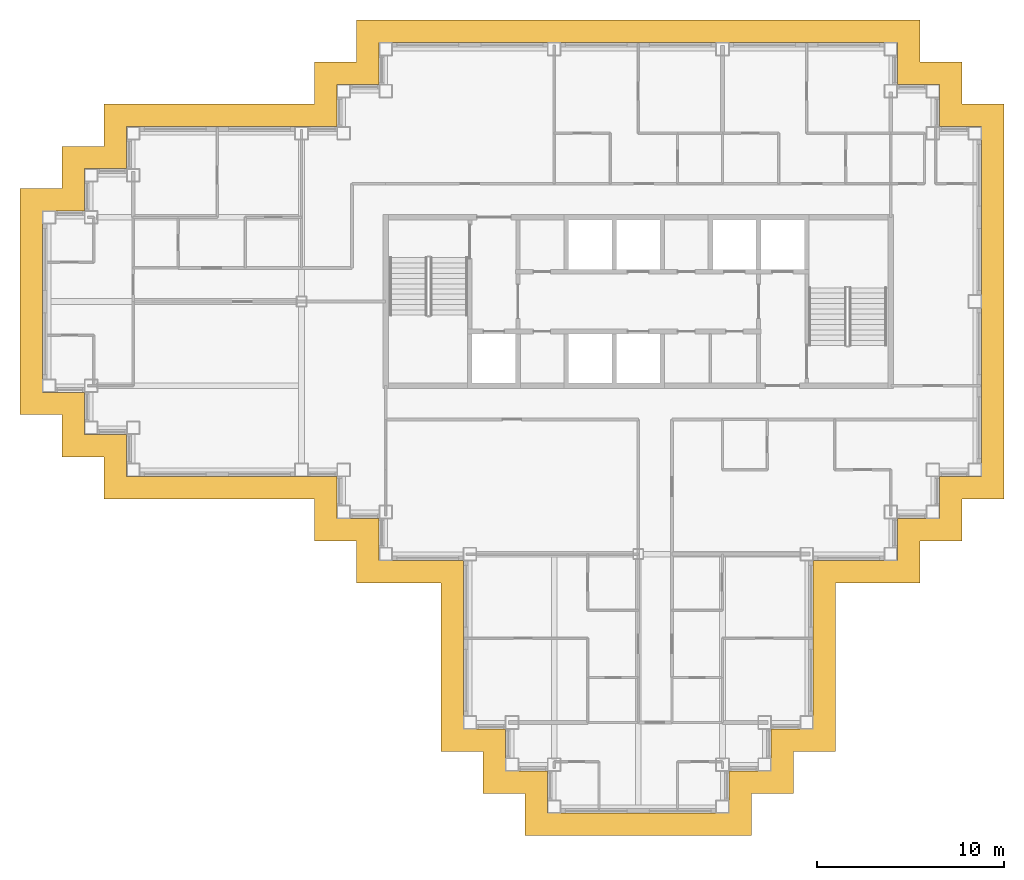
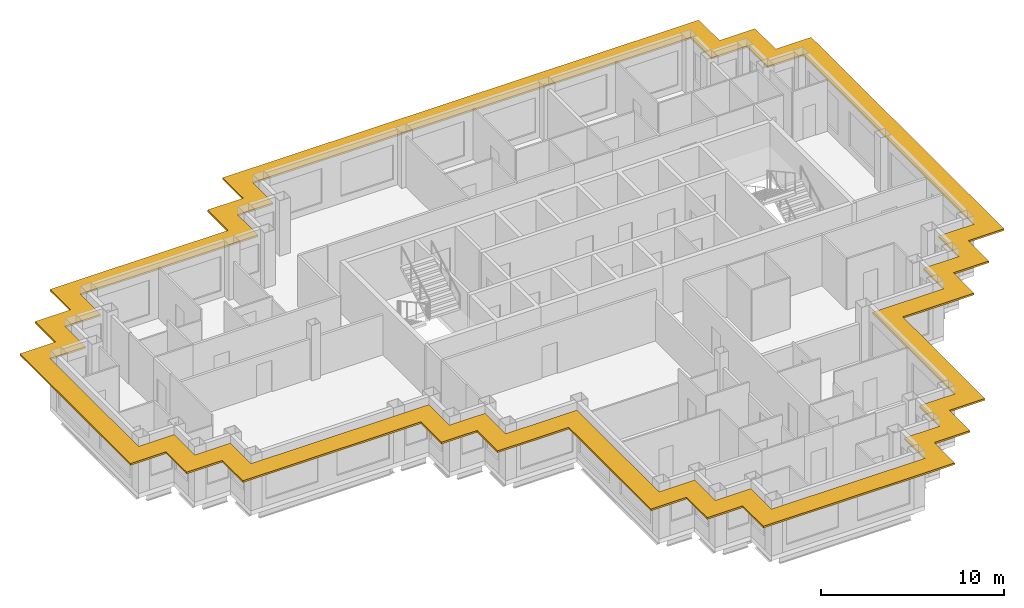
# One storey, part 11 of 12: 1 shading device.
"""IFC4 building model written with IfcOpenShell, lengths in metres."""

from ifc_helpers import new_model, si_unit, direction, frame, origin, place, context, subcontext, project, spatial, polyline, outline, extrude, material, layer, layer_set, type_object, element, save


model = new_model("IFC4")

# Units and contexts
model_context = context("Model", 3, precision=1e-05, world=origin(), true_north=direction((0.0, 1.0)))
body_context = subcontext(model_context, "Body", "Model", "MODEL_VIEW")
ifc_project = project(units=[si_unit("LENGTHUNIT", "METRE"), si_unit("AREAUNIT", "SQUARE_METRE"), si_unit("VOLUMEUNIT", "CUBIC_METRE"), si_unit("PLANEANGLEUNIT", "RADIAN"), si_unit("MASSUNIT", "GRAM", prefix="KILO")], contexts=[model_context])

# Site, building, storey
site_placement = place(None, origin())
site = spatial("IfcSite", under=ifc_project, at=site_placement, CompositionType="ELEMENT")
building_placement = place(site_placement, origin())
building = spatial("IfcBuilding", under=site, at=building_placement, Name="Caravel Reach Hotel and Residences", CompositionType="ELEMENT")
storey_placement = place(building_placement, frame((0.0, 0.0, 196.10009765625)))
storey = spatial("IfcBuildingStorey", under=building, at=storey_placement, Name="L49", CompositionType="ELEMENT", Elevation=196.10009765625)

# Shading device
ifc_material = material(Name="Black powder-coated aluminium", Category="aluminium")
ifc_layer = layer(ifc_material, 0.1201171875)
ifc_layer_set = layer_set([ifc_layer], Name="SS1 Sunshade band 1200")
shading_device_type = type_object("IfcShadingDeviceType", Name="SS1 Sunshade band 1200", PredefinedType="USERDEFINED", material=ifc_layer_set)
shading_device_placement = place(storey_placement, frame((0.0, 0.0, 3.039794921875)))
element("IfcShadingDevice", 1, at=shading_device_placement, inside=storey, type_object=shading_device_type, Name="Sunshade L49 1", ObjectType="SUNSHADE", PredefinedType="USERDEFINED", context=body_context, shape_type="SweptSolid", body=[
    extrude(outline(polyline([(42.050048828125, 2.949951171875), (42.050048828125, 11.949951171875), (46.550048828125, 11.949951171875), (46.550048828125, 14.199951171875), (48.800048828125, 14.199951171875), (48.800048828125, 16.449951171875), (51.050048828125, 16.449951171875), (51.050048828125, 37.550048828125), (48.800048828125, 37.550048828125), (48.800048828125, 39.800048828125), (46.550048828125, 39.800048828125), (46.550048828125, 42.050048828125), (16.449951171875, 42.050048828125), (16.449951171875, 39.800048828125), (14.199951171875, 39.800048828125), (14.199951171875, 37.550048828125), (2.949951171875, 37.550048828125), (2.949951171875, 35.300048828125), (0.699951171875, 35.300048828125), (0.699951171875, 33.050048828125), (-1.550048828125, 33.050048828125), (-1.550048828125, 20.949951171875), (0.699951171875, 20.949951171875), (0.699951171875, 18.699951171875), (2.949951171875, 18.699951171875), (2.949951171875, 16.449951171875), (14.199951171875, 16.449951171875), (14.199951171875, 14.199951171875), (16.449951171875, 14.199951171875), (16.449951171875, 11.949951171875), (20.949951171875, 11.949951171875), (20.949951171875, 2.949951171875), (23.199951171875, 2.949951171875), (23.199951171875, 0.699951171875), (25.449951171875, 0.699951171875), (25.449951171875, -1.550048828125), (37.550048828125, -1.550048828125), (37.550048828125, 0.699951171875), (39.800048828125, 0.699951171875), (39.800048828125, 2.949951171875), (42.050048828125, 2.949951171875)]), holes=[polyline([(45.35009765625, 13.14990234375), (40.85009765625, 13.14990234375), (40.85009765625, 4.14990234375), (38.60009765625, 4.14990234375), (38.60009765625, 1.89990234375), (36.35009765625, 1.89990234375), (36.35009765625, -0.35009765625), (26.64990234375, -0.35009765625), (26.64990234375, 1.89990234375), (24.39990234375, 1.89990234375), (24.39990234375, 4.14990234375), (22.14990234375, 4.14990234375), (22.14990234375, 13.14990234375), (17.64990234375, 13.14990234375), (17.64990234375, 15.39990234375), (15.39990234375, 15.39990234375), (15.39990234375, 17.64990234375), (4.14990234375, 17.64990234375), (4.14990234375, 19.89990234375), (1.89990234375, 19.89990234375), (1.89990234375, 22.14990234375), (-0.35009765625, 22.14990234375), (-0.35009765625, 31.85009765625), (1.89990234375, 31.85009765625), (1.89990234375, 34.10009765625), (4.14990234375, 34.10009765625), (4.14990234375, 36.35009765625), (15.39990234375, 36.35009765625), (15.39990234375, 38.60009765625), (17.64990234375, 38.60009765625), (17.64990234375, 40.85009765625), (45.35009765625, 40.85009765625), (45.35009765625, 38.60009765625), (47.60009765625, 38.60009765625), (47.60009765625, 36.35009765625), (49.85009765625, 36.35009765625), (49.85009765625, 17.64990234375), (47.60009765625, 17.64990234375), (47.60009765625, 15.39990234375), (45.35009765625, 15.39990234375), (45.35009765625, 13.14990234375)])]), origin(), (0.0, 0.0, 1.0), 0.1201171875),
])

save(model, "model.ifc")
